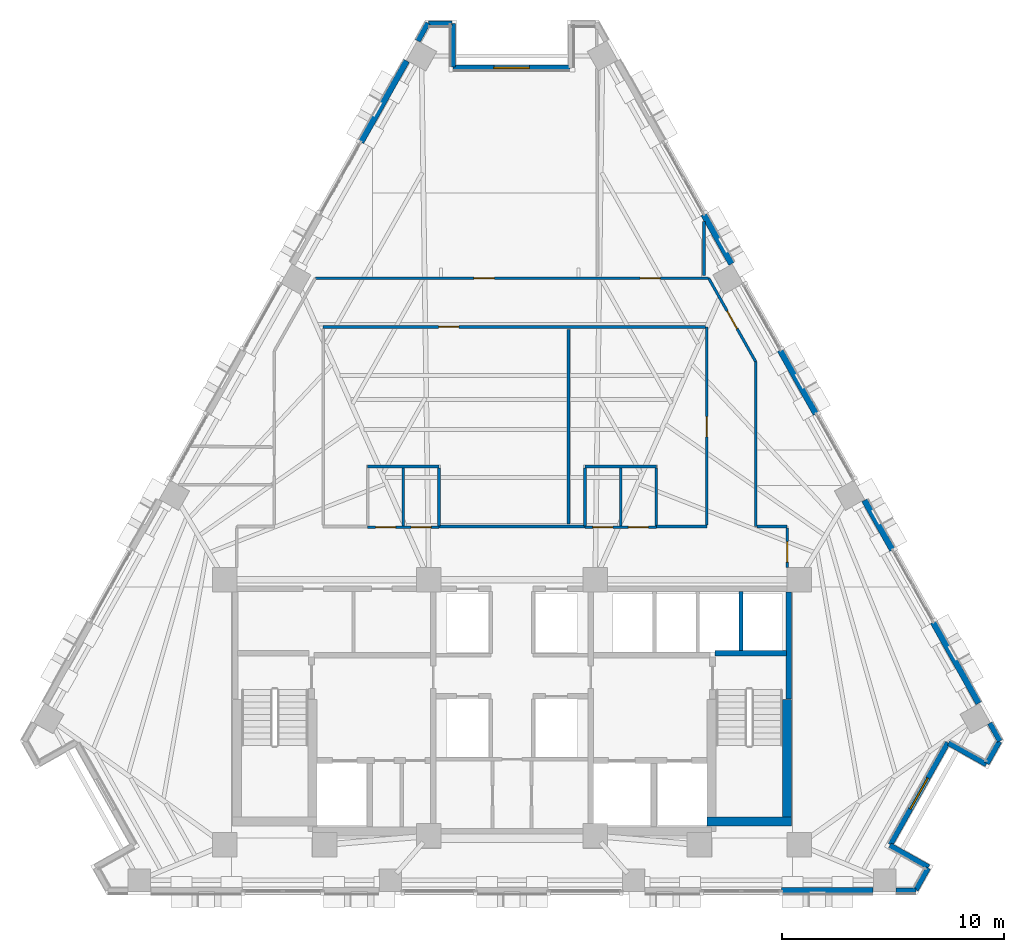
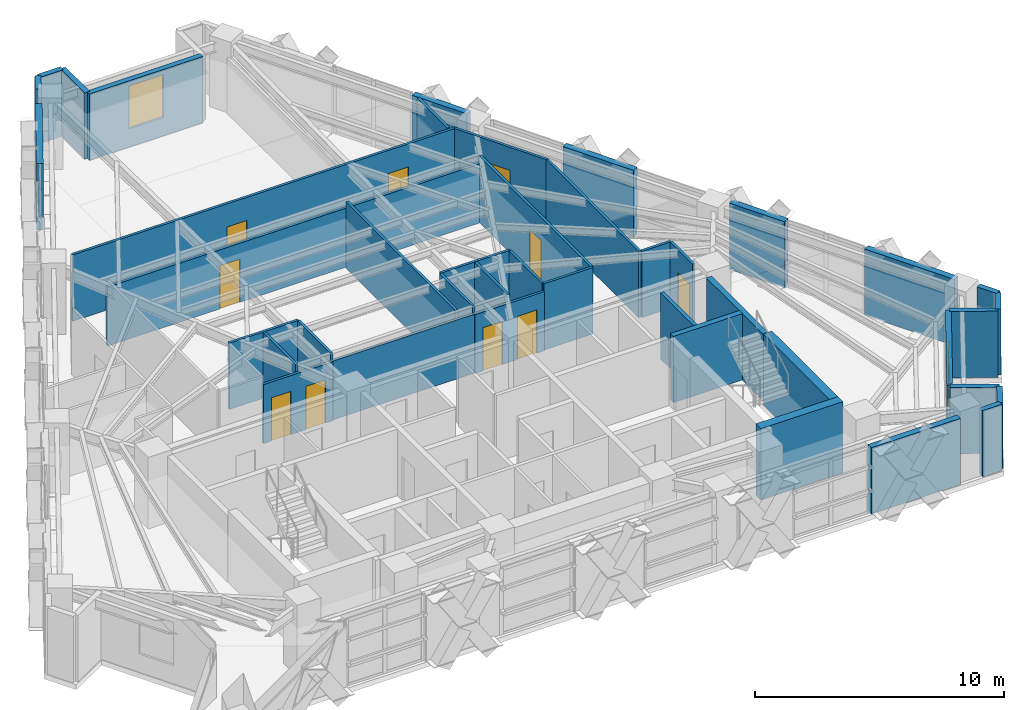
# One storey, part 9 of 14: 42 walls, 10 doors, 2 windows, 12 openings.
"""IFC4 building model written with IfcOpenShell, lengths in metres."""

from ifc_helpers import new_model, si_unit, direction, frame, frame_2d, origin, place, context, subcontext, project, spatial, rectangle, extrude, material, layer, layer_set, type_object, element, fill, save


model = new_model("IFC4")

# Units and contexts
model_context = context("Model", 3, precision=1e-05, world=origin(), true_north=direction((0.0, 1.0)))
body_context = subcontext(model_context, "Body", "Model", "MODEL_VIEW")
ifc_project = project(units=[si_unit("LENGTHUNIT", "METRE"), si_unit("AREAUNIT", "SQUARE_METRE"), si_unit("VOLUMEUNIT", "CUBIC_METRE"), si_unit("PLANEANGLEUNIT", "RADIAN"), si_unit("MASSUNIT", "GRAM", prefix="KILO")], contexts=[model_context])

# Site, building, storey
site_placement = place(None, origin())
site = spatial("IfcSite", under=ifc_project, at=site_placement, CompositionType="ELEMENT")
building_placement = place(site_placement, origin())
building = spatial("IfcBuilding", under=site, at=building_placement, Name="Quenlor Broadcast Tower", CompositionType="ELEMENT")
storey_placement = place(building_placement, frame((0.0, 0.0, 154.5)))
storey = spatial("IfcBuildingStorey", under=building, at=storey_placement, Name="L42", CompositionType="ELEMENT", Elevation=154.5)

# Walls
ifc_material_1 = material(Name="Concrete C50/60", Category="concrete")
ifc_layer_1 = layer(ifc_material_1, 0.39990234375)
ifc_layer_set_1 = layer_set([ifc_layer_1], Name="Core Concrete C50/60 Shear Wall 400")
wall_type_1 = type_object("IfcWallType", Name="Core Concrete C50/60 Shear Wall 400", PredefinedType="SHEAR", material=ifc_layer_set_1)
wall_1_placement = place(storey_placement, frame((8.800048828125, -15.699951171875, 0.0), z_axis=(0.0, 0.0, 1.0), x_axis=(1.0, 0.0, 0.0)))
element("IfcWall", 1, at=wall_1_placement, inside=storey, type_object=wall_type_1, Name="L42 Core Shear Wall WS-E2", PredefinedType="SHEAR", context=body_context, shape_type="SweptSolid", body=[
    extrude(rectangle(XDim=3.800048828125, YDim=0.39990234375, at=frame_2d((1.89990234375, 0.0))), origin(), (0.0, 0.0, 1.0), 3.5),
])
wall_2_placement = place(storey_placement, frame((12.39990234375, -15.699951171875, 0.0), z_axis=(0.0, 0.0, 1.0), x_axis=(0.0, 1.0, 0.0)))
element("IfcWall", 2, at=wall_2_placement, inside=storey, type_object=wall_type_1, Name="L42 Core Shear Wall WF-E", PredefinedType="SHEAR", context=body_context, shape_type="SweptSolid", body=[
    extrude(rectangle(XDim=5.5, YDim=0.39990234375, at=frame_2d((2.75, 0.0))), origin(), (0.0, 0.0, 1.0), 3.5),
])
ifc_material_2 = material(Name="Concrete C40/50", Category="concrete")
ifc_layer_2 = layer(ifc_material_2, 0.25)
ifc_layer_set_2 = layer_set([ifc_layer_2], Name="Fire Rated Concrete C40/50 Core Wall 250")
wall_type_2 = type_object("IfcWallType", Name="Fire Rated Concrete C40/50 Core Wall 250", PredefinedType="PARTITIONING", material=ifc_layer_set_2)
wall_3_placement = place(storey_placement, frame((9.159912109375, -8.1201171875, 0.0), z_axis=(0.0, 0.0, 1.0), x_axis=(1.0, 0.0, 0.0)))
element("IfcWall", 3, at=wall_3_placement, inside=storey, type_object=wall_type_2, Name="L42 Interior Wall CW-ST2-N", PredefinedType="PARTITIONING", context=body_context, shape_type="SweptSolid", body=[
    extrude(rectangle(XDim=3.219970703125, YDim=0.25, at=frame_2d((1.60986328125, 0.0))), origin(), (0.0, 0.0, 1.0), 3.25),
])
wall_4_placement = place(storey_placement, frame((12.47998046875, -10.179931640625, 0.0), z_axis=(0.0, 0.0, 1.0), x_axis=(0.0, 1.0, 0.0)))
element("IfcWall", 4, at=wall_4_placement, inside=storey, type_object=wall_type_2, Name="L42 Interior Wall CW-ST2-E2", PredefinedType="PARTITIONING", context=body_context, shape_type="SweptSolid", body=[
    extrude(rectangle(XDim=4.827880859375, YDim=0.25, at=frame_2d((2.4140625, 0.0))), origin(), (0.0, 0.0, 1.0), 3.25),
])
ifc_material_3 = material(Name="Gypsum Fireboard Partition", Category="other")
ifc_layer_3 = layer(ifc_material_3, 0.159912109375)
ifc_layer_set_3 = layer_set([ifc_layer_3], Name="Fire Rated Shaft and Corridor Partition 160")
wall_type_3 = type_object("IfcWallType", Name="Fire Rated Shaft and Corridor Partition 160", PredefinedType="PARTITIONING", material=ifc_layer_set_3)
wall_5_placement = place(storey_placement, frame((10.324951171875, -7.992919921875, 0.0), z_axis=(0.0, 0.0, 1.0), x_axis=(0.0, 1.0, 0.0)))
element("IfcWall", 5, at=wall_5_placement, inside=storey, type_object=wall_type_3, Name="L42 Interior Wall CW-PLH-D3", PredefinedType="PARTITIONING", context=body_context, shape_type="SweptSolid", body=[
    extrude(rectangle(XDim=2.65283203125, YDim=0.159912109375, at=frame_2d((1.326416015625, 0.0))), origin(), (0.0, 0.0, 1.0), 3.25),
])

# Wall, openings, doors
ifc_material_4 = material(Name="Gypsum Plasterboard Partition", Category="other")
ifc_layer_4 = layer(ifc_material_4, 0.1201171875)
ifc_layer_set_4 = layer_set([ifc_layer_4], Name="Standard Office Partition 120")
wall_type_4 = type_object("IfcWallType", Name="Standard Office Partition 120", PredefinedType="PARTITIONING", material=ifc_layer_set_4)
wall_6_placement = place(storey_placement, frame((-6.510009765625, -2.43994140625, 0.0), z_axis=(0.0, 0.0, 1.0), x_axis=(1.0, 0.0, 0.0)))
wall_6 = element("IfcWall", 6, at=wall_6_placement, inside=storey, type_object=wall_type_4, Name="L42 Interior Wall PW-WCW-S", PredefinedType="PARTITIONING", context=body_context, shape_type="SweptSolid", body=[
    extrude(rectangle(XDim=3.219970703125, YDim=0.1201171875, at=frame_2d((1.60986328125, 0.0))), origin(), (0.0, 0.0, 1.0), 2.891357421875),
])
opening_1_placement = place(wall_6_placement, frame((0.360107421875, 0.0, 0.0)))
opening_1 = element("IfcOpeningElement", 7, at=opening_1_placement, cuts=wall_6, Name="Opening ID-3", PredefinedType="OPENING", context=body_context, shape_type="SweptSolid", body=[
    extrude(rectangle(XDim=0.89990234375, YDim=2.1201171875, at=frame_2d((0.449951171875, 1.06005859375))), frame((0.0, 0.070068359375, 0.0), z_axis=(0.0, -1.0, 0.0), x_axis=(1.0, 0.0, 0.0)), (0.0, 0.0, 1.0), 0.14013671875),
])
opening_2_placement = place(wall_6_placement, frame((1.9599609375, 0.0, 0.0)))
opening_2 = element("IfcOpeningElement", 8, at=opening_2_placement, cuts=wall_6, Name="Opening ID-3", PredefinedType="OPENING", context=body_context, shape_type="SweptSolid", body=[
    extrude(rectangle(XDim=0.89990234375, YDim=2.1201171875, at=frame_2d((0.449951171875, 1.06005859375))), frame((0.0, 0.070068359375, 0.0), z_axis=(0.0, -1.0, 0.0), x_axis=(1.0, 0.0, 0.0)), (0.0, 0.0, 1.0), 0.14013671875),
])
ifc_material_5 = material(Name="Moisture Resistant Timber Oak", Category="wood")
door_type_1 = type_object("IfcDoorType", Name="Washroom Privacy Door 900x2120", OperationType="NOTDEFINED", PredefinedType="DOOR", material=ifc_material_5)
door_1_placement = place(opening_1_placement, origin())
door_1 = element("IfcDoor", 9, at=door_1_placement, inside=storey, type_object=door_type_1, Name="L42 Door DR-AWC", OperationType="SINGLE_SWING_LEFT", OverallHeight=2.1201171875, OverallWidth=0.89990234375, PredefinedType="DOOR", context=body_context, shape_type="SweptSolid", body=[
    extrude(rectangle(XDim=0.89990234375, YDim=2.1201171875, at=frame_2d((0.449951171875, 1.06005859375))), frame((0.0, 0.02490234375, 0.0), z_axis=(0.0, -1.0, 0.0), x_axis=(1.0, 0.0, 0.0)), (0.0, 0.0, 1.0), 0.050048828125),
])
fill(opening_1, door_1)
door_2_placement = place(opening_2_placement, origin())
door_2 = element("IfcDoor", 10, at=door_2_placement, inside=storey, type_object=door_type_1, Name="L42 Door DR-SHW", OperationType="SINGLE_SWING_RIGHT", OverallHeight=2.1201171875, OverallWidth=0.89990234375, PredefinedType="DOOR", context=body_context, shape_type="SweptSolid", body=[
    extrude(rectangle(XDim=0.89990234375, YDim=2.1201171875, at=frame_2d((0.449951171875, 1.06005859375))), frame((0.0, 0.02490234375, 0.0), z_axis=(0.0, -1.0, 0.0), x_axis=(1.0, 0.0, 0.0)), (0.0, 0.0, 1.0), 0.050048828125),
])
fill(opening_2, door_2)

# Walls
wall_7_placement = place(storey_placement, frame((-6.510009765625, 0.31005859375, 0.0), z_axis=(0.0, 0.0, 1.0), x_axis=(1.0, 0.0, 0.0)))
element("IfcWall", 11, at=wall_7_placement, inside=storey, type_object=wall_type_4, Name="L42 Interior Wall PW-WCW-N", PredefinedType="PARTITIONING", context=body_context, shape_type="SweptSolid", body=[
    extrude(rectangle(XDim=3.219970703125, YDim=0.1201171875, at=frame_2d((1.60986328125, 0.0))), origin(), (0.0, 0.0, 1.0), 3.25),
])
for number, where, z_axis, x_axis, name in (
    (12, (-4.89990234375, -2.3779296875, 0.0), (0.0, 0.0, 1.0), (0.0, 1.0, 0.0), "L42 Interior Wall PW-WCW-M"),
    (13, (-3.2900390625, -2.3779296875, 0.0), (0.0, 0.0, 1.0), (0.0, 1.0, 0.0), "L42 Interior Wall PW-WCW-E"),
):
    element("IfcWall", number, at=place(storey_placement, frame(where, z_axis=z_axis, x_axis=x_axis)), inside=storey, type_object=wall_type_4, Name=name, PredefinedType="PARTITIONING", context=body_context, shape_type="SweptSolid", body=[
        extrude(rectangle(XDim=2.6259765625, YDim=0.1201171875, at=frame_2d((1.31298828125, 0.0))), origin(), (0.0, 0.0, 1.0), 3.25),
    ])

# Wall, openings, doors
wall_8_placement = place(storey_placement, frame((3.2900390625, -2.43994140625, 0.0), z_axis=(0.0, 0.0, 1.0), x_axis=(1.0, 0.0, 0.0)))
wall_8 = element("IfcWall", 14, at=wall_8_placement, inside=storey, type_object=wall_type_4, Name="L42 Interior Wall PW-WCE-S", PredefinedType="PARTITIONING", context=body_context, shape_type="SweptSolid", body=[
    extrude(rectangle(XDim=3.219970703125, YDim=0.1201171875, at=frame_2d((1.60986328125, 0.0))), origin(), (0.0, 0.0, 1.0), 2.891357421875),
])
opening_3_placement = place(wall_8_placement, frame((0.360107421875, 0.0, 0.0)))
opening_3 = element("IfcOpeningElement", 15, at=opening_3_placement, cuts=wall_8, Name="Opening ID-3", PredefinedType="OPENING", context=body_context, shape_type="SweptSolid", body=[
    extrude(rectangle(XDim=0.89990234375, YDim=2.1201171875, at=frame_2d((0.449951171875, 1.06005859375))), frame((0.0, 0.070068359375, 0.0), z_axis=(0.0, -1.0, 0.0), x_axis=(1.0, 0.0, 0.0)), (0.0, 0.0, 1.0), 0.14013671875),
])
opening_4_placement = place(wall_8_placement, frame((1.9599609375, 0.0, 0.0)))
opening_4 = element("IfcOpeningElement", 16, at=opening_4_placement, cuts=wall_8, Name="Opening ID-3", PredefinedType="OPENING", context=body_context, shape_type="SweptSolid", body=[
    extrude(rectangle(XDim=0.89990234375, YDim=2.1201171875, at=frame_2d((0.449951171875, 1.06005859375))), frame((0.0, 0.070068359375, 0.0), z_axis=(0.0, -1.0, 0.0), x_axis=(1.0, 0.0, 0.0)), (0.0, 0.0, 1.0), 0.14013671875),
])
door_3_placement = place(opening_3_placement, origin())
door_3 = element("IfcDoor", 17, at=door_3_placement, inside=storey, type_object=door_type_1, Name="L42 Door DR-MWC", OperationType="SINGLE_SWING_LEFT", OverallHeight=2.1201171875, OverallWidth=0.89990234375, PredefinedType="DOOR", context=body_context, shape_type="SweptSolid", body=[
    extrude(rectangle(XDim=0.89990234375, YDim=2.1201171875, at=frame_2d((0.449951171875, 1.06005859375))), frame((0.0, 0.02490234375, 0.0), z_axis=(0.0, -1.0, 0.0), x_axis=(1.0, 0.0, 0.0)), (0.0, 0.0, 1.0), 0.050048828125),
])
fill(opening_3, door_3)
door_4_placement = place(opening_4_placement, origin())
door_4 = element("IfcDoor", 18, at=door_4_placement, inside=storey, type_object=door_type_1, Name="L42 Door DR-FWC", OperationType="SINGLE_SWING_RIGHT", OverallHeight=2.1201171875, OverallWidth=0.89990234375, PredefinedType="DOOR", context=body_context, shape_type="SweptSolid", body=[
    extrude(rectangle(XDim=0.89990234375, YDim=2.1201171875, at=frame_2d((0.449951171875, 1.06005859375))), frame((0.0, 0.02490234375, 0.0), z_axis=(0.0, -1.0, 0.0), x_axis=(1.0, 0.0, 0.0)), (0.0, 0.0, 1.0), 0.050048828125),
])
fill(opening_4, door_4)

# Walls
wall_9_placement = place(storey_placement, frame((3.2900390625, 0.31005859375, 0.0), z_axis=(0.0, 0.0, 1.0), x_axis=(1.0, 0.0, 0.0)))
element("IfcWall", 19, at=wall_9_placement, inside=storey, type_object=wall_type_4, Name="L42 Interior Wall PW-WCE-N", PredefinedType="PARTITIONING", context=body_context, shape_type="SweptSolid", body=[
    extrude(rectangle(XDim=3.219970703125, YDim=0.1201171875, at=frame_2d((1.60986328125, 0.0))), origin(), (0.0, 0.0, 1.0), 3.25),
])
for number, where, z_axis, x_axis, name in (
    (20, (3.2900390625, -2.3779296875, 0.0), (0.0, 0.0, 1.0), (0.0, 1.0, 0.0), "L42 Interior Wall PW-WCE-W"),
    (21, (4.89990234375, -2.3779296875, 0.0), (0.0, 0.0, 1.0), (0.0, 1.0, 0.0), "L42 Interior Wall PW-WCE-M"),
    (22, (6.510009765625, -2.3779296875, 0.0), (0.0, 0.0, 1.0), (0.0, 1.0, 0.0), "L42 Interior Wall PW-WCE-E"),
):
    element("IfcWall", number, at=place(storey_placement, frame(where, z_axis=z_axis, x_axis=x_axis)), inside=storey, type_object=wall_type_4, Name=name, PredefinedType="PARTITIONING", context=body_context, shape_type="SweptSolid", body=[
        extrude(rectangle(XDim=2.6259765625, YDim=0.1201171875, at=frame_2d((1.31298828125, 0.0))), origin(), (0.0, 0.0, 1.0), 3.25),
    ])

# Wall, openings, doors
wall_10_placement = place(storey_placement, frame((-8.863525390625, 8.800048828125, 0.0), z_axis=(0.0, 0.0, 1.0), x_axis=(1.0, 0.0, 0.0)))
wall_10 = element("IfcWall", 23, at=wall_10_placement, inside=storey, type_object=wall_type_4, Name="L42 Interior Wall PW-CR-04", PredefinedType="PARTITIONING", context=body_context, shape_type="SweptSolid", body=[
    extrude(rectangle(XDim=17.731201171875, YDim=0.1201171875, at=frame_2d((8.86572265625, 0.0))), origin(), (0.0, 0.0, 1.0), 3.25),
])
opening_5_placement = place(wall_10_placement, frame((7.14404296875, 0.0, 0.0)))
opening_5 = element("IfcOpeningElement", 24, at=opening_5_placement, cuts=wall_10, Name="Opening ID-1", PredefinedType="OPENING", context=body_context, shape_type="SweptSolid", body=[
    extrude(rectangle(XDim=0.919921875, YDim=2.1201171875, at=frame_2d((0.4599609375, 1.06005859375))), frame((0.0, 0.070068359375, 0.0), z_axis=(0.0, -1.0, 0.0), x_axis=(1.0, 0.0, 0.0)), (0.0, 0.0, 1.0), 0.14013671875),
])
opening_6_placement = place(wall_10_placement, frame((14.637939453125, 0.0, 0.0)))
opening_6 = element("IfcOpeningElement", 25, at=opening_6_placement, cuts=wall_10, Name="Opening ID-1", PredefinedType="OPENING", context=body_context, shape_type="SweptSolid", body=[
    extrude(rectangle(XDim=0.919921875, YDim=2.1201171875, at=frame_2d((0.4599609375, 1.06005859375))), frame((0.0, 0.070068359375, 0.0), z_axis=(0.0, -1.0, 0.0), x_axis=(1.0, 0.0, 0.0)), (0.0, 0.0, 1.0), 0.14013671875),
])
ifc_material_6 = material(Name="Solid Core Timber Oak", Category="wood")
door_type_2 = type_object("IfcDoorType", Name="Single Leaf Timber Office Door 920x2120", OperationType="NOTDEFINED", PredefinedType="DOOR", material=ifc_material_6)
door_5_placement = place(opening_5_placement, origin())
door_5 = element("IfcDoor", 26, at=door_5_placement, inside=storey, type_object=door_type_2, Name="L42 Door DR-RM01", OperationType="SINGLE_SWING_LEFT", OverallHeight=2.1201171875, OverallWidth=0.919921875, PredefinedType="DOOR", context=body_context, shape_type="SweptSolid", body=[
    extrude(rectangle(XDim=0.919921875, YDim=2.1201171875, at=frame_2d((0.4599609375, 1.06005859375))), frame((0.0, 0.02490234375, 0.0), z_axis=(0.0, -1.0, 0.0), x_axis=(1.0, 0.0, 0.0)), (0.0, 0.0, 1.0), 0.050048828125),
])
fill(opening_5, door_5)
door_6_placement = place(opening_6_placement, origin())
door_6 = element("IfcDoor", 27, at=door_6_placement, inside=storey, type_object=door_type_2, Name="L42 Door DR-RM02", OperationType="SINGLE_SWING_RIGHT", OverallHeight=2.1201171875, OverallWidth=0.919921875, PredefinedType="DOOR", context=body_context, shape_type="SweptSolid", body=[
    extrude(rectangle(XDim=0.919921875, YDim=2.1201171875, at=frame_2d((0.4599609375, 1.06005859375))), frame((0.0, 0.02490234375, 0.0), z_axis=(0.0, -1.0, 0.0), x_axis=(1.0, 0.0, 0.0)), (0.0, 0.0, 1.0), 0.050048828125),
])
fill(opening_6, door_6)

# Wall, opening, door
wall_11_placement = place(storey_placement, frame((8.86962890625, 8.79638671875, 0.0), z_axis=(0.0, 0.0, 1.0), x_axis=(0.490296163189, -0.871555891703, 0.0)))
wall_11 = element("IfcWall", 28, at=wall_11_placement, inside=storey, type_object=wall_type_4, Name="L42 Interior Wall PW-CR-05", PredefinedType="PARTITIONING", context=body_context, shape_type="SweptSolid", body=[
    extrude(rectangle(XDim=4.314697265625, YDim=0.1201171875, at=frame_2d((2.1572265625, 0.0))), origin(), (0.0, 0.0, 1.0), 3.25),
])
opening_7_placement = place(wall_11_placement, frame((1.695068359375, 0.0, 0.0)))
opening_7 = element("IfcOpeningElement", 29, at=opening_7_placement, cuts=wall_11, Name="Opening ID-1", PredefinedType="OPENING", context=body_context, shape_type="SweptSolid", body=[
    extrude(rectangle(XDim=0.919921875, YDim=2.1201171875, at=frame_2d((0.4599609375, 1.06005859375))), frame((0.0, 0.070068359375, 0.0), z_axis=(0.0, -1.0, 0.0), x_axis=(1.0, 0.0, 0.0)), (0.0, 0.0, 1.0), 0.14013671875),
])
door_7_placement = place(opening_7_placement, origin())
door_7 = element("IfcDoor", 30, at=door_7_placement, inside=storey, type_object=door_type_2, Name="L42 Door DR-RM03", OperationType="SINGLE_SWING_LEFT", OverallHeight=2.1201171875, OverallWidth=0.919921875, PredefinedType="DOOR", context=body_context, shape_type="SweptSolid", body=[
    extrude(rectangle(XDim=0.919921875, YDim=2.1201171875, at=frame_2d((0.4599609375, 1.06005859375))), frame((0.0, 0.02490234375, 0.0), z_axis=(0.0, -1.0, 0.0), x_axis=(1.0, 0.0, 0.0)), (0.0, 0.0, 1.0), 0.050048828125),
])
fill(opening_7, door_7)

# Walls
wall_12_placement = place(storey_placement, frame((10.985107421875, 5.03369140625, 0.0), z_axis=(0.0, 0.0, 1.0), x_axis=(0.0, -1.0, 0.0)))
element("IfcWall", 31, at=wall_12_placement, inside=storey, type_object=wall_type_4, Name="L42 Interior Wall PW-CR-06", PredefinedType="PARTITIONING", context=body_context, shape_type="SweptSolid", body=[
    extrude(rectangle(XDim=7.43359375, YDim=0.1201171875, at=frame_2d((3.716796875, 0.0))), origin(), (0.0, 0.0, 1.0), 3.25),
])
wall_13_placement = place(storey_placement, frame((11.047119140625, -2.39990234375, 0.0), z_axis=(0.0, 0.0, 1.0), x_axis=(1.0, 0.0, 0.0)))
element("IfcWall", 32, at=wall_13_placement, inside=storey, type_object=wall_type_4, Name="L42 Interior Wall PW-CR-07", PredefinedType="PARTITIONING", context=body_context, shape_type="SweptSolid", body=[
    extrude(rectangle(XDim=1.36279296875, YDim=0.1201171875, at=frame_2d((0.681396484375, 0.0))), origin(), (0.0, 0.0, 1.0), 3.25),
])

# Wall, opening, door
wall_14_placement = place(storey_placement, frame((12.409912109375, -2.4619140625, 0.0), z_axis=(0.0, 0.0, 1.0), x_axis=(0.0, -1.0, 0.0)))
wall_14 = element("IfcWall", 33, at=wall_14_placement, inside=storey, type_object=wall_type_4, Name="L42 Interior Wall PW-CR-08", PredefinedType="PARTITIONING", context=body_context, shape_type="SweptSolid", body=[
    extrude(rectangle(XDim=1.7861328125, YDim=0.1201171875, at=frame_2d((0.89306640625, 0.0))), origin(), (0.0, 0.0, 1.0), 3.25),
])
opening_8_placement = place(wall_14_placement, frame((0.623046875, 0.0, 0.0)))
opening_8 = element("IfcOpeningElement", 34, at=opening_8_placement, cuts=wall_14, Name="Opening ID-1", PredefinedType="OPENING", context=body_context, shape_type="SweptSolid", body=[
    extrude(rectangle(XDim=0.919921875, YDim=2.1201171875, at=frame_2d((0.4599609375, 1.06005859375))), frame((0.0, 0.070068359375, 0.0), z_axis=(0.0, -1.0, 0.0), x_axis=(1.0, 0.0, 0.0)), (0.0, 0.0, 1.0), 0.14013671875),
])
door_8_placement = place(opening_8_placement, origin())
door_8 = element("IfcDoor", 35, at=door_8_placement, inside=storey, type_object=door_type_2, Name="L42 Door DR-RM08", OperationType="SINGLE_SWING_RIGHT", OverallHeight=2.1201171875, OverallWidth=0.919921875, PredefinedType="DOOR", context=body_context, shape_type="SweptSolid", body=[
    extrude(rectangle(XDim=0.919921875, YDim=2.1201171875, at=frame_2d((0.4599609375, 1.06005859375))), frame((0.0, 0.02490234375, 0.0), z_axis=(0.0, -1.0, 0.0), x_axis=(1.0, 0.0, 0.0)), (0.0, 0.0, 1.0), 0.050048828125),
])
fill(opening_8, door_8)

# Walls
wall_15_placement = place(storey_placement, frame((-3.2880859375, -2.39990234375, 0.0), z_axis=(0.0, 0.0, 1.0), x_axis=(1.0, 0.0, 0.0)))
element("IfcWall", 36, at=wall_15_placement, inside=storey, type_object=wall_type_4, Name="L42 Interior Wall PW-CR-10S2", PredefinedType="PARTITIONING", context=body_context, shape_type="SweptSolid", body=[
    extrude(rectangle(XDim=6.576171875, YDim=0.1201171875, at=frame_2d((3.2880859375, 0.0))), origin(), (0.0, 0.0, 1.0), 2.891357421875),
])
wall_16_placement = place(storey_placement, frame((6.511962890625, -2.39990234375, 0.0), z_axis=(0.0, 0.0, 1.0), x_axis=(1.0, 0.0, 0.0)))
element("IfcWall", 37, at=wall_16_placement, inside=storey, type_object=wall_type_4, Name="L42 Interior Wall PW-CR-10S3", PredefinedType="PARTITIONING", context=body_context, shape_type="SweptSolid", body=[
    extrude(rectangle(XDim=2.27294921875, YDim=0.1201171875, at=frame_2d((1.136474609375, 0.0))), origin(), (0.0, 0.0, 1.0), 3.25),
])

# Wall, opening, door
wall_17_placement = place(storey_placement, frame((8.784912109375, -2.337890625, 0.0), z_axis=(0.0, 0.0, 1.0), x_axis=(0.0, 1.0, 0.0)))
wall_17 = element("IfcWall", 38, at=wall_17_placement, inside=storey, type_object=wall_type_4, Name="L42 Interior Wall PW-CR-11", PredefinedType="PARTITIONING", context=body_context, shape_type="SweptSolid", body=[
    extrude(rectangle(XDim=8.93798828125, YDim=0.1201171875, at=frame_2d((4.468994140625, 0.0))), origin(), (0.0, 0.0, 1.0), 3.25),
])
opening_9_placement = place(wall_17_placement, frame((3.97802734375, 0.0, 0.0)))
opening_9 = element("IfcOpeningElement", 39, at=opening_9_placement, cuts=wall_17, Name="Opening ID-1", PredefinedType="OPENING", context=body_context, shape_type="SweptSolid", body=[
    extrude(rectangle(XDim=0.919921875, YDim=2.1201171875, at=frame_2d((0.4599609375, 1.06005859375))), frame((0.0, 0.070068359375, 0.0), z_axis=(0.0, -1.0, 0.0), x_axis=(1.0, 0.0, 0.0)), (0.0, 0.0, 1.0), 0.14013671875),
])
door_9_placement = place(opening_9_placement, origin())
door_9 = element("IfcDoor", 40, at=door_9_placement, inside=storey, type_object=door_type_2, Name="L42 Door DR-RM05", OperationType="SINGLE_SWING_LEFT", OverallHeight=2.1201171875, OverallWidth=0.919921875, PredefinedType="DOOR", context=body_context, shape_type="SweptSolid", body=[
    extrude(rectangle(XDim=0.919921875, YDim=2.1201171875, at=frame_2d((0.4599609375, 1.06005859375))), frame((0.0, 0.02490234375, 0.0), z_axis=(0.0, -1.0, 0.0), x_axis=(1.0, 0.0, 0.0)), (0.0, 0.0, 1.0), 0.050048828125),
])
fill(opening_9, door_9)

wall_18_placement = place(storey_placement, frame((8.722900390625, 6.60009765625, 0.0), z_axis=(0.0, 0.0, 1.0), x_axis=(-1.0, 0.0, 0.0)))
wall_18 = element("IfcWall", 41, at=wall_18_placement, inside=storey, type_object=wall_type_4, Name="L42 Interior Wall PW-CR-12", PredefinedType="PARTITIONING", context=body_context, shape_type="SweptSolid", body=[
    extrude(rectangle(XDim=17.23779296875, YDim=0.1201171875, at=frame_2d((8.618896484375, 0.0))), origin(), (0.0, 0.0, 1.0), 2.891357421875),
])
opening_10_placement = place(wall_18_placement, frame((11.115966796875, 0.0, 0.0)))
opening_10 = element("IfcOpeningElement", 42, at=opening_10_placement, cuts=wall_18, Name="Opening ID-1", PredefinedType="OPENING", context=body_context, shape_type="SweptSolid", body=[
    extrude(rectangle(XDim=0.919921875, YDim=2.1201171875, at=frame_2d((0.4599609375, 1.06005859375))), frame((0.0, 0.070068359375, 0.0), z_axis=(0.0, -1.0, 0.0), x_axis=(1.0, 0.0, 0.0)), (0.0, 0.0, 1.0), 0.14013671875),
])
door_10_placement = place(opening_10_placement, origin())
door_10 = element("IfcDoor", 43, at=door_10_placement, inside=storey, type_object=door_type_2, Name="L42 Door DR-RM06", OperationType="SINGLE_SWING_RIGHT", OverallHeight=2.1201171875, OverallWidth=0.919921875, PredefinedType="DOOR", context=body_context, shape_type="SweptSolid", body=[
    extrude(rectangle(XDim=0.919921875, YDim=2.1201171875, at=frame_2d((0.4599609375, 1.06005859375))), frame((0.0, 0.02490234375, 0.0), z_axis=(0.0, -1.0, 0.0), x_axis=(1.0, 0.0, 0.0)), (0.0, 0.0, 1.0), 0.050048828125),
])
fill(opening_10, door_10)

# Walls
wall_19_placement = place(storey_placement, frame((8.659912109375, 11.35791015625, 0.0), z_axis=(0.0, 0.0, 1.0), x_axis=(0.0, -1.0, 0.0)))
element("IfcWall", 44, at=wall_19_placement, inside=storey, type_object=wall_type_4, Name="L42 Interior Wall PW-DV-02", PredefinedType="PARTITIONING", context=body_context, shape_type="SweptSolid", body=[
    extrude(rectangle(XDim=2.447998046875, YDim=0.1201171875, at=frame_2d((1.22412109375, 0.0))), origin(), (0.0, 0.0, 1.0), 3.25),
])
wall_20_placement = place(storey_placement, frame((2.551025390625, -2.2900390625, 0.0), z_axis=(0.0, 0.0, 1.0), x_axis=(0.0, 1.0, 0.0)))
element("IfcWall", 45, at=wall_20_placement, inside=storey, type_object=wall_type_4, Name="L42 Interior Wall PW-DV-04", PredefinedType="PARTITIONING", context=body_context, shape_type="SweptSolid", body=[
    extrude(rectangle(XDim=8.780029296875, YDim=0.1201171875, at=frame_2d((4.39013671875, 0.0))), origin(), (0.0, 0.0, 1.0), 3.25),
])
ifc_material_7 = material(Name="Precast concrete C40/50", Category="concrete")
ifc_layer_5 = layer(ifc_material_7, 0.239990234375)
ifc_layer_set_5 = layer_set([ifc_layer_5], Name="Terrace Threshold Precast Concrete C40/50 Wall 240")
wall_type_5 = type_object("IfcWallType", Name="Terrace Threshold Precast Concrete C40/50 Wall 240", PredefinedType="STANDARD", material=ifc_layer_set_5)
wall_21_placement = place(storey_placement, frame((18.2099609375, -18.824951171875, 0.0), z_axis=(0.0, 0.0, 1.0), x_axis=(-1.0, 0.0, 0.0)))
element("IfcWall", 46, at=wall_21_placement, inside=storey, type_object=wall_type_5, Name="L42 Exterior Wall L42-SHD-SS0", PredefinedType="STANDARD", context=body_context, shape_type="SweptSolid", body=[
    extrude(rectangle(XDim=0.896484375, YDim=0.239990234375, at=frame_2d((0.4482421875, 0.0))), origin(), (0.0, 0.0, 1.0), 3.25),
])
wall_22_placement = place(storey_placement, frame((21.54931640625, -11.2666015625, 0.0), z_axis=(0.0, 0.0, 1.0), x_axis=(0.490248718924, -0.871582579905, 0.0)))
element("IfcWall", 47, at=wall_22_placement, inside=storey, type_object=wall_type_5, Name="L42 Exterior Wall L42-SHD-NES1", PredefinedType="STANDARD", context=body_context, shape_type="SweptSolid", body=[
    extrude(rectangle(XDim=0.92578125, YDim=0.239990234375, at=frame_2d((0.462890625, 0.0))), origin(), (0.0, 0.0, 1.0), 3.25),
])
wall_23_placement = place(storey_placement, frame((-4.24560546875, 19.4951171875, 0.0), z_axis=(0.0, 0.0, 1.0), x_axis=(0.490048346303, 0.871695255399, 0.0)))
element("IfcWall", 48, at=wall_23_placement, inside=storey, type_object=wall_type_5, Name="L42 Exterior Wall L42-SHD-NWS1", PredefinedType="STANDARD", context=body_context, shape_type="SweptSolid", body=[
    extrude(rectangle(XDim=0.925537109375, YDim=0.239990234375, at=frame_2d((0.462890625, 0.0))), origin(), (0.0, 0.0, 1.0), 3.25),
])
wall_24_placement = place(storey_placement, frame((18.783935546875, -17.760009765625, 0.0), z_axis=(0.0, 0.0, 1.0), x_axis=(-0.871536415941, 0.49033078191, 0.0)))
element("IfcWall", 49, at=wall_24_placement, inside=storey, type_object=wall_type_5, Name="L42 Exterior Wall L42-CNR-01", PredefinedType="STANDARD", context=body_context, shape_type="SweptSolid", body=[
    extrude(rectangle(XDim=2.0, YDim=0.239990234375, at=frame_2d((1.0, 0.0))), origin(), (0.0, 0.0, 1.0), 3.25),
])

# Wall, opening, window
wall_25_placement = place(storey_placement, frame((17.060302734375, -16.744384765625, 0.0), z_axis=(0.0, 0.0, 1.0), x_axis=(0.490276606961, 0.871566892824, 0.0)))
wall_25 = element("IfcWall", 50, at=wall_25_placement, inside=storey, type_object=wall_type_5, Name="L42 Exterior Wall L42-CNR-02", PredefinedType="STANDARD", context=body_context, shape_type="SweptSolid", body=[
    extrude(rectangle(XDim=5.280029296875, YDim=0.239990234375, at=frame_2d((2.64013671875, 0.0))), origin(), (0.0, 0.0, 1.0), 3.25),
])
opening_11_placement = place(wall_25_placement, frame((1.840087890625, 0.0, 0.89990234375)))
opening_11 = element("IfcOpeningElement", 51, at=opening_11_placement, cuts=wall_25, Name="Opening WN-2", PredefinedType="OPENING", context=body_context, shape_type="SweptSolid", body=[
    extrude(rectangle(XDim=1.60009765625, YDim=2.10009765625, at=frame_2d((0.800048828125, 1.050048828125))), frame((0.0, 0.1298828125, 0.0), z_axis=(0.0, -1.0, 0.0), x_axis=(1.0, 0.0, 0.0)), (0.0, 0.0, 1.0), 0.260009765625),
])
ifc_material_8 = material(Name="Thermally Broken Aluminium and Low-E Glass", Category="aluminium")
window_type = type_object("IfcWindowType", Name="Tower Studio Punched Window 1600x2100", PartitioningType="SINGLE_PANEL", PredefinedType="WINDOW", material=ifc_material_8)
window_1_placement = place(opening_11_placement, origin())
window_1 = element("IfcWindow", 52, at=window_1_placement, inside=storey, type_object=window_type, Name="L42 Corner Chamfer Window 2", OverallHeight=2.10009765625, OverallWidth=1.60009765625, PartitioningType="SINGLE_PANEL", PredefinedType="WINDOW", context=body_context, shape_type="SweptSolid", body=[
    extrude(rectangle(XDim=1.60009765625, YDim=2.10009765625, at=frame_2d((0.800048828125, 1.050048828125))), frame((0.0, 0.030029296875, 0.0), z_axis=(0.0, -1.0, 0.0), x_axis=(1.0, 0.0, 0.0)), (0.0, 0.0, 1.0), 0.06005859375),
])
fill(opening_11, window_1)

# Walls
wall_26_placement = place(storey_placement, frame((19.683837890625, -12.162109375, 0.0), z_axis=(0.0, 0.0, 1.0), x_axis=(0.871512328312, -0.490373593906, 0.0)))
element("IfcWall", 53, at=wall_26_placement, inside=storey, type_object=wall_type_5, Name="L42 Exterior Wall L42-CNR-03", PredefinedType="STANDARD", context=body_context, shape_type="SweptSolid", body=[
    extrude(rectangle(XDim=1.960205078125, YDim=0.239990234375, at=frame_2d((0.97998046875, 0.0))), origin(), (0.0, 0.0, 1.0), 3.25),
])
wall_27_placement = place(storey_placement, frame((21.411865234375, -13.08837890625, 0.0), z_axis=(0.0, 0.0, 1.0), x_axis=(0.4900989379, 0.871666811958, 0.0)))
element("IfcWall", 54, at=wall_27_placement, inside=storey, type_object=wall_type_5, Name="L42 Exterior Wall L42-CNR-04", PredefinedType="STANDARD", context=body_context, shape_type="SweptSolid", body=[
    extrude(rectangle(XDim=1.142822265625, YDim=0.239990234375, at=frame_2d((0.5712890625, 0.0))), origin(), (0.0, 0.0, 1.0), 3.25),
])

# Wall, opening, window
wall_28_placement = place(storey_placement, frame((2.6201171875, 18.280029296875, 0.0), z_axis=(0.0, 0.0, 1.0), x_axis=(-1.0, 0.0, 0.0)))
wall_28 = element("IfcWall", 55, at=wall_28_placement, inside=storey, type_object=wall_type_5, Name="L42 Exterior Wall L42-CNR-08", PredefinedType="STANDARD", context=body_context, shape_type="SweptSolid", body=[
    extrude(rectangle(XDim=5.280029296875, YDim=0.239990234375, at=frame_2d((2.64013671875, 0.0))), origin(), (0.0, 0.0, 1.0), 3.25),
])
opening_12_placement = place(wall_28_placement, frame((1.840087890625, 0.0, 0.89990234375)))
opening_12 = element("IfcOpeningElement", 56, at=opening_12_placement, cuts=wall_28, Name="Opening WN-2", PredefinedType="OPENING", context=body_context, shape_type="SweptSolid", body=[
    extrude(rectangle(XDim=1.60009765625, YDim=2.10009765625, at=frame_2d((0.800048828125, 1.050048828125))), frame((0.0, 0.1298828125, 0.0), z_axis=(0.0, -1.0, 0.0), x_axis=(1.0, 0.0, 0.0)), (0.0, 0.0, 1.0), 0.260009765625),
])
window_2_placement = place(opening_12_placement, origin())
window_2 = element("IfcWindow", 57, at=window_2_placement, inside=storey, type_object=window_type, Name="L42 Corner Chamfer Window 8", OverallHeight=2.10009765625, OverallWidth=1.60009765625, PartitioningType="SINGLE_PANEL", PredefinedType="WINDOW", context=body_context, shape_type="SweptSolid", body=[
    extrude(rectangle(XDim=1.60009765625, YDim=2.10009765625, at=frame_2d((0.800048828125, 1.050048828125))), frame((0.0, 0.030029296875, 0.0), z_axis=(0.0, -1.0, 0.0), x_axis=(1.0, 0.0, 0.0)), (0.0, 0.0, 1.0), 0.06005859375),
])
fill(opening_12, window_2)

# Walls
wall_29_placement = place(storey_placement, frame((-2.659912109375, 18.320068359375, 0.0), z_axis=(0.0, 0.0, 1.0), x_axis=(0.0, 1.0, 0.0)))
element("IfcWall", 58, at=wall_29_placement, inside=storey, type_object=wall_type_5, Name="L42 Exterior Wall L42-CNR-09", PredefinedType="STANDARD", context=body_context, shape_type="SweptSolid", body=[
    extrude(rectangle(XDim=1.9599609375, YDim=0.239990234375, at=frame_2d((0.97998046875, 0.0))), origin(), (0.0, 0.0, 1.0), 3.25),
])
wall_30_placement = place(storey_placement, frame((-2.699951171875, 20.280029296875, 0.0), z_axis=(0.0, 0.0, 1.0), x_axis=(-1.0, 0.0, 0.0)))
element("IfcWall", 59, at=wall_30_placement, inside=storey, type_object=wall_type_5, Name="L42 Exterior Wall L42-CNR-10", PredefinedType="STANDARD", context=body_context, shape_type="SweptSolid", body=[
    extrude(rectangle(XDim=1.0615234375, YDim=0.239990234375, at=frame_2d((0.53076171875, 0.0))), origin(), (0.0, 0.0, 1.0), 3.25),
])
wall_31_placement = place(storey_placement, frame((18.205810546875, -18.78759765625, 0.0), z_axis=(0.0, 0.0, 1.0), x_axis=(0.490403700594, 0.871495387506, 0.0)))
element("IfcWall", 60, at=wall_31_placement, inside=storey, type_object=wall_type_5, Name="L42 Exterior Wall L42-CNR-18", PredefinedType="STANDARD", context=body_context, shape_type="SweptSolid", body=[
    extrude(rectangle(XDim=1.13916015625, YDim=0.239990234375, at=frame_2d((0.569580078125, 0.0))), origin(), (0.0, 0.0, 1.0), 3.25),
])
ifc_material_9 = material(Name="Precast concrete C40/50", Category="concrete")
ifc_layer_6 = layer(ifc_material_9, 0.280029296875)
ifc_layer_set_6 = layer_set([ifc_layer_6], Name="Terracotta Precast Concrete C40/50 Facade Wall 280")
wall_type_6 = type_object("IfcWallType", Name="Terracotta Precast Concrete C40/50 Facade Wall 280", PredefinedType="STANDARD", material=ifc_layer_set_6)
wall_32_placement = place(storey_placement, frame((16.283447265625, -18.824951171875, 0.0), z_axis=(0.0, 0.0, 1.0), x_axis=(-1.0, 0.0, 0.0)))
element("IfcWall", 61, at=wall_32_placement, inside=storey, type_object=wall_type_6, Name="L42 Exterior Wall L42-SA-SP1", PredefinedType="STANDARD", context=body_context, shape_type="SweptSolid", body=[
    extrude(rectangle(XDim=4.134521484375, YDim=0.280029296875, at=frame_2d((2.0673828125, 0.0))), origin(), (0.0, 0.0, 1.0), 3.25),
])
for number, where, z_axis, x_axis, name in (
    (62, (8.640625, 11.681884765625, 0.0), (0.0, 0.0, 1.0), (0.490301864627, -0.871552684319, 0.0), "L42 Exterior Wall L42-NEA-SP2"),
    (63, (15.8955078125, -1.21533203125, 0.0), (0.0, 0.0, 1.0), (0.490229640206, -0.871593311048, 0.0), "L42 Exterior Wall L42-NEC-SP1"),
):
    element("IfcWall", number, at=place(storey_placement, frame(where, z_axis=z_axis, x_axis=x_axis)), inside=storey, type_object=wall_type_6, Name=name, PredefinedType="STANDARD", context=body_context, shape_type="SweptSolid", body=[
        extrude(rectangle(XDim=2.56787109375, YDim=0.280029296875, at=frame_2d((1.283935546875, 0.0))), origin(), (0.0, 0.0, 1.0), 3.25),
    ])
wall_33_placement = place(storey_placement, frame((18.985107421875, -6.7080078125, 0.0), z_axis=(0.0, 0.0, 1.0), x_axis=(0.490230882965, -0.871592612054, 0.0)))
element("IfcWall", 64, at=wall_33_placement, inside=storey, type_object=wall_type_6, Name="L42 Exterior Wall L42-NEC-SP2", PredefinedType="STANDARD", context=body_context, shape_type="SweptSolid", body=[
    extrude(rectangle(XDim=4.2001953125, YDim=0.280029296875, at=frame_2d((2.10009765625, 0.0))), origin(), (0.0, 0.0, 1.0), 3.25),
])
wall_34_placement = place(storey_placement, frame((12.0888671875, 5.5517578125, 0.0), z_axis=(0.0, 0.0, 1.0), x_axis=(0.490285834707, -0.871561701938, 0.0)))
element("IfcWall", 65, at=wall_34_placement, inside=storey, type_object=wall_type_6, Name="L42 Exterior Wall L42-NE-SP1", PredefinedType="STANDARD", context=body_context, shape_type="SweptSolid", body=[
    extrude(rectangle(XDim=3.299072265625, YDim=0.280029296875, at=frame_2d((1.6494140625, 0.0))), origin(), (0.0, 0.0, 1.0), 3.25),
])
wall_35_placement = place(storey_placement, frame((-6.81005859375, 14.936279296875, 0.0), z_axis=(0.0, 0.0, 1.0), x_axis=(0.490250201787, 0.871581745821, 0.0)))
element("IfcWall", 66, at=wall_35_placement, inside=storey, type_object=wall_type_6, Name="L42 Exterior Wall L42-NWC-SP2", PredefinedType="STANDARD", context=body_context, shape_type="SweptSolid", body=[
    extrude(rectangle(XDim=4.20068359375, YDim=0.280029296875, at=frame_2d((2.100341796875, 0.0))), origin(), (0.0, 0.0, 1.0), 3.25),
])

save(model, "model.ifc")
